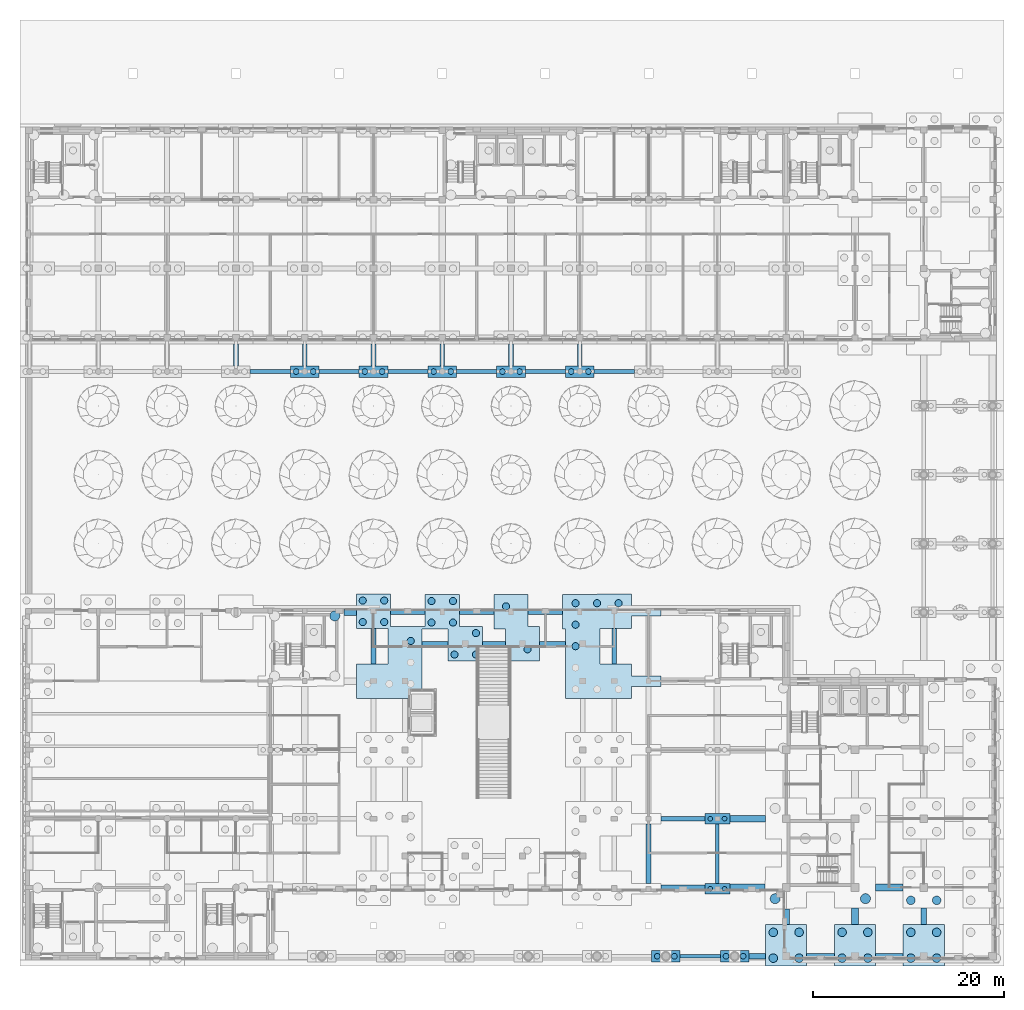
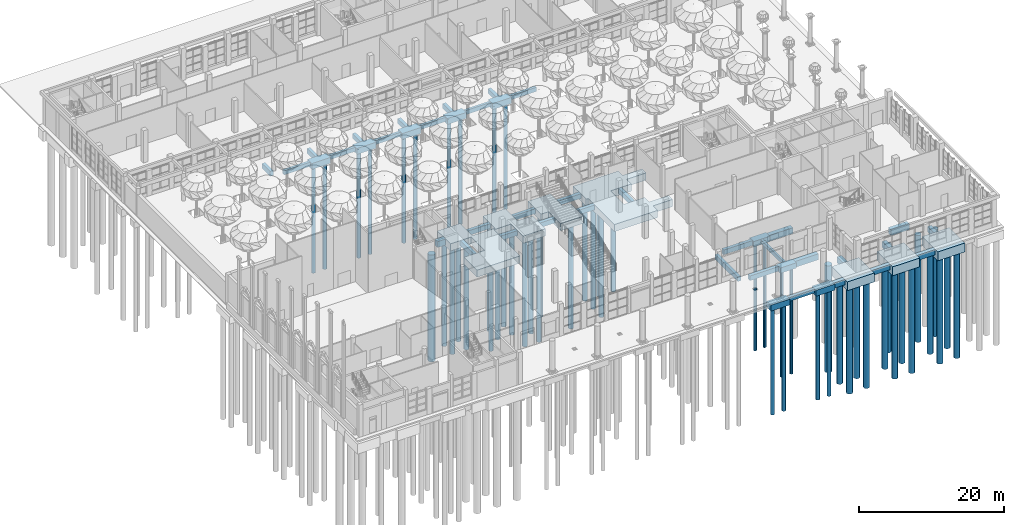
# One storey, part 3 of 80: 54 piles, 50 footings.
"""IFC4 building model written with IfcOpenShell, lengths in metres."""

from ifc_helpers import new_model, si_unit, direction, frame, origin, origin_2d, place, context, subcontext, project, spatial, polyline, rectangle, circle, outline, extrude, material, material_profile, profile_set, type_object, element, save


model = new_model("IFC4")

# Units and contexts
model_context = context("Model", 3, precision=1e-05, world=origin(), true_north=direction((0.0, 1.0)))
body_context = subcontext(model_context, "Body", "Model", "MODEL_VIEW")
ifc_project = project(units=[si_unit("LENGTHUNIT", "METRE"), si_unit("AREAUNIT", "SQUARE_METRE"), si_unit("VOLUMEUNIT", "CUBIC_METRE"), si_unit("PLANEANGLEUNIT", "RADIAN"), si_unit("MASSUNIT", "GRAM", prefix="KILO")], contexts=[model_context])

# Site, building, storey
site_placement = place(None, origin())
site = spatial("IfcSite", under=ifc_project, at=site_placement, CompositionType="ELEMENT")
building_placement = place(site_placement, origin())
building = spatial("IfcBuilding", under=site, at=building_placement, Name="Ussher Court Research Institute", CompositionType="ELEMENT")
storey_placement = place(building_placement, origin())
storey = spatial("IfcBuildingStorey", under=building, at=storey_placement, Name="L00", CompositionType="ELEMENT", Elevation=0.0)

# Piles
ifc_material_1 = material(Name="Concrete C35/45", Category="concrete")
ifc_material_profile_1 = material_profile(ifc_material_1, circle(Radius=0.52490234375, at=origin_2d()), Name="RC D1050")
ifc_profile_set_1 = profile_set([ifc_material_profile_1], Name="Concrete C35/45")
pile_type_1 = type_object("IfcPileType", Name="Bored pile D1050", PredefinedType="BORED", material=ifc_profile_set_1)
for number, where, z_axis, x_axis, name in (
    (1, (34.949951171875, 39.625, -2.10009765625), (0.0, 0.0, -1.0), (1.0, 0.0, 0.0), "P5 033-06"),
    (2, (81.050048828125, 10.02490234375, -2.10009765625), (0.0, 0.0, -1.0), (1.0, 0.0, 0.0), "P5 091-01"),
    (3, (90.5, 10.02490234375, -2.10009765625), (0.0, 0.0, -1.0), (1.0, 0.0, 0.0), "P5 091-07"),
):
    element("IfcPile", number, at=place(storey_placement, frame(where, z_axis=z_axis, x_axis=x_axis)), inside=storey, type_object=pile_type_1, Name=name, PredefinedType="BORED", context=body_context, shape_type="SweptSolid", body=[
        extrude(circle(Radius=0.52490234375, at=origin_2d()), origin(), (0.0, 0.0, 1.0), 18.0),
    ])
ifc_material_2 = material(Name="Concrete C35/45", Category="concrete")
ifc_material_profile_2 = material_profile(ifc_material_2, circle(Radius=0.25, at=origin_2d()), Name="RC D500")
ifc_profile_set_2 = profile_set([ifc_material_profile_2], Name="Concrete C35/45")
pile_type_2 = type_object("IfcPileType", Name="Bored pile D500", PredefinedType="BORED", material=ifc_profile_set_2)
for number, where, z_axis, x_axis, name in (
    (4, (74.25, 11.050048828125, -1.300048828125), (0.0, 0.0, -1.0), (1.0, 0.0, 0.0), "P4 086-01"),
    (5, (75.75, 11.050048828125, -1.300048828125), (0.0, 0.0, -1.0), (1.0, 0.0, 0.0), "P4 086-02"),
    (6, (74.25, 18.39990234375, -1.300048828125), (0.0, 0.0, -1.0), (1.0, 0.0, 0.0), "P4 087-01"),
    (7, (75.75, 18.39990234375, -1.300048828125), (0.0, 0.0, -1.0), (1.0, 0.0, 0.0), "P4 087-02"),
):
    element("IfcPile", number, at=place(storey_placement, frame(where, z_axis=z_axis, x_axis=x_axis)), inside=storey, type_object=pile_type_2, Name=name, PredefinedType="BORED", context=body_context, shape_type="SweptSolid", body=[
        extrude(circle(Radius=0.25, at=origin_2d()), origin(), (0.0, 0.0, 1.0), 18.0),
    ])
ifc_material_3 = material(Name="Concrete C35/45", Category="concrete")
ifc_material_profile_3 = material_profile(ifc_material_3, circle(Radius=0.300048828125, at=origin_2d()), Name="RC D600")
ifc_profile_set_3 = profile_set([ifc_material_profile_3], Name="Concrete C35/45")
pile_type_3 = type_object("IfcPileType", Name="Bored pile D600", PredefinedType="BORED", material=ifc_profile_set_3)
for number, where, z_axis, x_axis, name in (
    (8, (30.89990234375, 65.199951171875, -1.39990234375), (0.0, 0.0, -1.0), (1.0, 0.0, 0.0), "P2 044-01"),
    (9, (32.699951171875, 65.199951171875, -1.39990234375), (0.0, 0.0, -1.0), (1.0, 0.0, 0.0), "P2 044-02"),
    (10, (38.10009765625, 65.199951171875, -1.39990234375), (0.0, 0.0, -1.0), (1.0, 0.0, 0.0), "P2 056-01"),
    (11, (39.89990234375, 65.199951171875, -1.39990234375), (0.0, 0.0, -1.0), (1.0, 0.0, 0.0), "P2 056-02"),
    (12, (45.300048828125, 65.199951171875, -1.39990234375), (0.0, 0.0, -1.0), (1.0, 0.0, 0.0), "P2 061-01"),
    (13, (47.10009765625, 65.199951171875, -1.39990234375), (0.0, 0.0, -1.0), (1.0, 0.0, 0.0), "P2 061-02"),
    (14, (52.5, 65.199951171875, -1.39990234375), (0.0, 0.0, -1.0), (1.0, 0.0, 0.0), "P2 067-01"),
    (15, (54.300048828125, 65.199951171875, -1.39990234375), (0.0, 0.0, -1.0), (1.0, 0.0, 0.0), "P2 067-02"),
    (16, (59.699951171875, 65.199951171875, -1.39990234375), (0.0, 0.0, -1.0), (1.0, 0.0, 0.0), "P2 074-01"),
    (17, (61.5, 65.199951171875, -1.39990234375), (0.0, 0.0, -1.0), (1.0, 0.0, 0.0), "P2 074-02"),
    (18, (68.699951171875, 4.0, -1.39990234375), (0.0, 0.0, -1.0), (1.0, 0.0, 0.0), "P2 081-01"),
    (19, (70.5, 4.0, -1.39990234375), (0.0, 0.0, -1.0), (1.0, 0.0, 0.0), "P2 081-02"),
    (20, (75.89990234375, 4.0, -1.39990234375), (0.0, 0.0, -1.0), (1.0, 0.0, 0.0), "P2 090-01"),
    (21, (77.699951171875, 4.0, -1.39990234375), (0.0, 0.0, -1.0), (1.0, 0.0, 0.0), "P2 090-02"),
):
    element("IfcPile", number, at=place(storey_placement, frame(where, z_axis=z_axis, x_axis=x_axis)), inside=storey, type_object=pile_type_3, Name=name, PredefinedType="BORED", context=body_context, shape_type="SweptSolid", body=[
        extrude(circle(Radius=0.300048828125, at=origin_2d()), origin(), (0.0, 0.0, 1.0), 18.0),
    ])
ifc_material_4 = material(Name="Concrete C35/45", Category="concrete")
ifc_material_profile_4 = material_profile(ifc_material_4, circle(Radius=0.375, at=origin_2d()), Name="RC D750")
ifc_profile_set_4 = profile_set([ifc_material_profile_4], Name="Concrete C35/45")
pile_type_4 = type_object("IfcPileType", Name="Bored pile D750", PredefinedType="BORED", material=ifc_profile_set_4)
for number, where, z_axis, x_axis, name in (
    (22, (42.89990234375, 37.0, -1.60009765625), (0.0, 0.0, -1.0), (1.0, 0.0, 0.0), "P1 051-05"),
    (23, (37.875, 38.97509765625, -1.60009765625), (0.0, 0.0, -1.0), (1.0, 0.0, 0.0), "P1 051-06"),
    (24, (37.875, 41.22509765625, -1.60009765625), (0.0, 0.0, -1.0), (1.0, 0.0, 0.0), "P1 051-07"),
    (25, (40.125, 38.97509765625, -1.60009765625), (0.0, 0.0, -1.0), (1.0, 0.0, 0.0), "P1 051-08"),
    (26, (40.125, 41.22509765625, -1.60009765625), (0.0, 0.0, -1.0), (1.0, 0.0, 0.0), "P1 051-09"),
    (27, (45.074951171875, 38.925048828125, -1.60009765625), (0.0, 0.0, -1.0), (1.0, 0.0, 0.0), "P1 051-10"),
    (28, (45.074951171875, 41.175048828125, -1.60009765625), (0.0, 0.0, -1.0), (1.0, 0.0, 0.0), "P1 051-11"),
    (29, (47.324951171875, 38.925048828125, -1.60009765625), (0.0, 0.0, -1.0), (1.0, 0.0, 0.0), "P1 051-12"),
    (30, (47.324951171875, 41.175048828125, -1.60009765625), (0.0, 0.0, -1.0), (1.0, 0.0, 0.0), "P1 051-13"),
    (31, (47.47509765625, 35.574951171875, -1.60009765625), (0.0, 0.0, -1.0), (1.0, 0.0, 0.0), "P1 051-14"),
    (32, (49.72509765625, 35.574951171875, -1.60009765625), (0.0, 0.0, -1.0), (1.0, 0.0, 0.0), "P1 051-15"),
    (33, (49.72509765625, 37.824951171875, -1.60009765625), (0.0, 0.0, -1.0), (1.0, 0.0, 0.0), "P1 051-16"),
    (34, (52.875, 40.625, -1.60009765625), (0.0, 0.0, -1.0), (1.0, 0.0, 0.0), "P1 064-01"),
    (35, (55.125, 36.125, -1.60009765625), (0.0, 0.0, -1.0), (1.0, 0.0, 0.0), "P1 064-02"),
    (36, (60.14990234375, 36.449951171875, -1.60009765625), (0.0, 0.0, -1.0), (1.0, 0.0, 0.0), "P1 070-03"),
    (37, (60.14990234375, 38.699951171875, -1.60009765625), (0.0, 0.0, -1.0), (1.0, 0.0, 0.0), "P1 070-04"),
    (38, (60.14990234375, 40.949951171875, -1.60009765625), (0.0, 0.0, -1.0), (1.0, 0.0, 0.0), "P1 070-05"),
    (39, (62.39990234375, 40.949951171875, -1.60009765625), (0.0, 0.0, -1.0), (1.0, 0.0, 0.0), "P1 070-07"),
    (40, (64.64990234375, 40.949951171875, -1.60009765625), (0.0, 0.0, -1.0), (1.0, 0.0, 0.0), "P1 070-09"),
):
    element("IfcPile", number, at=place(storey_placement, frame(where, z_axis=z_axis, x_axis=x_axis)), inside=storey, type_object=pile_type_4, Name=name, PredefinedType="BORED", context=body_context, shape_type="SweptSolid", body=[
        extrude(circle(Radius=0.375, at=origin_2d()), origin(), (0.0, 0.0, 1.0), 18.0),
    ])
ifc_material_5 = material(Name="Concrete C35/45", Category="concrete")
ifc_material_profile_5 = material_profile(ifc_material_5, circle(Radius=0.449951171875, at=origin_2d()), Name="RC D900")
ifc_profile_set_5 = profile_set([ifc_material_profile_5], Name="Concrete C35/45")
pile_type_5 = type_object("IfcPileType", Name="Bored pile D900", PredefinedType="BORED", material=ifc_profile_set_5)
for number, where, z_axis, x_axis, name in (
    (41, (80.85009765625, 3.800048828125, -1.89990234375), (0.0, 0.0, -1.0), (1.0, 0.0, 0.0), "P3 092-01"),
    (42, (80.85009765625, 6.5, -1.89990234375), (0.0, 0.0, -1.0), (1.0, 0.0, 0.0), "P3 092-02"),
    (43, (83.550048828125, 3.800048828125, -1.89990234375), (0.0, 0.0, -1.0), (1.0, 0.0, 0.0), "P3 092-03"),
    (44, (83.550048828125, 6.5, -1.89990234375), (0.0, 0.0, -1.0), (1.0, 0.0, 0.0), "P3 092-04"),
    (45, (88.050048828125, 3.800048828125, -1.89990234375), (0.0, 0.0, -1.0), (1.0, 0.0, 0.0), "P3 096-01"),
    (46, (88.050048828125, 6.5, -1.89990234375), (0.0, 0.0, -1.0), (1.0, 0.0, 0.0), "P3 096-02"),
    (47, (90.75, 3.800048828125, -1.89990234375), (0.0, 0.0, -1.0), (1.0, 0.0, 0.0), "P3 096-03"),
    (48, (90.75, 6.5, -1.89990234375), (0.0, 0.0, -1.0), (1.0, 0.0, 0.0), "P3 096-04"),
    (49, (95.25, 3.800048828125, -1.89990234375), (0.0, 0.0, -1.0), (1.0, 0.0, 0.0), "P3 099-01"),
    (50, (95.25, 6.5, -1.89990234375), (0.0, 0.0, -1.0), (1.0, 0.0, 0.0), "P3 099-02"),
    (51, (97.949951171875, 3.800048828125, -1.89990234375), (0.0, 0.0, -1.0), (1.0, 0.0, 0.0), "P3 099-03"),
    (52, (97.949951171875, 6.5, -1.89990234375), (0.0, 0.0, -1.0), (1.0, 0.0, 0.0), "P3 099-04"),
    (53, (95.25, 9.85009765625, -1.89990234375), (0.0, 0.0, -1.0), (1.0, 0.0, 0.0), "P3 100-01"),
    (54, (97.949951171875, 9.85009765625, -1.89990234375), (0.0, 0.0, -1.0), (1.0, 0.0, 0.0), "P3 100-03"),
):
    element("IfcPile", number, at=place(storey_placement, frame(where, z_axis=z_axis, x_axis=x_axis)), inside=storey, type_object=pile_type_5, Name=name, PredefinedType="BORED", context=body_context, shape_type="SweptSolid", body=[
        extrude(circle(Radius=0.449951171875, at=origin_2d()), origin(), (0.0, 0.0, 1.0), 18.0),
    ])

# Footings
ifc_material_6 = material(Name="Concrete C35/45", Category="concrete")
footing_type_1 = type_object("IfcFootingType", Name="Pile cap 10900x10300x1200", PredefinedType="PILE_CAP", material=ifc_material_6)
footing_1_placement = place(storey_placement, frame((0.0, 0.0, -1.75)))
element("IfcFooting", 55, at=footing_1_placement, inside=storey, type_object=footing_type_1, Name="PC16 070", PredefinedType="PILE_CAP", context=body_context, shape_type="SweptSolid", body=[
    extrude(outline(polyline([(58.800048828125, 41.85009765625), (58.800048828125, 38.25), (59.10009765625, 38.25), (59.10009765625, 31.0), (66.0, 31.0), (66.0, 32.25), (69.10009765625, 32.25), (69.10009765625, 33.35009765625), (66.0, 33.35009765625), (66.0, 34.60009765625), (62.699951171875, 34.60009765625), (62.699951171875, 38.300048828125), (66.0, 38.300048828125), (66.0, 39.60009765625), (69.10009765625, 39.60009765625), (69.10009765625, 40.699951171875), (66.0, 40.699951171875), (66.0, 41.89990234375), (62.39990234375, 41.89990234375), (62.39990234375, 41.85009765625), (58.800048828125, 41.85009765625)])), origin(), (0.0, 0.0, 1.0), 1.199951171875),
])
ifc_material_7 = material(Name="Concrete C35/45", Category="concrete")
footing_type_2 = type_object("IfcFootingType", Name="Pile cap 13200x10900x1200", PredefinedType="PILE_CAP", material=ifc_material_7)
footing_2_placement = place(storey_placement, frame((0.0, 0.0, -1.75)))
element("IfcFooting", 56, at=footing_2_placement, inside=storey, type_object=footing_type_2, Name="PC19 051", PredefinedType="PILE_CAP", context=body_context, shape_type="SweptSolid", body=[
    extrude(outline(polyline([(40.5, 38.300048828125), (40.5, 34.60009765625), (37.199951171875, 34.60009765625), (37.199951171875, 31.0), (44.10009765625, 31.0), (44.10009765625, 38.25), (46.800048828125, 38.25), (46.800048828125, 34.89990234375), (50.39990234375, 34.89990234375), (50.39990234375, 38.5), (48.0, 38.5), (48.0, 41.85009765625), (44.39990234375, 41.85009765625), (44.39990234375, 38.5), (40.800048828125, 38.5), (40.800048828125, 41.89990234375), (37.199951171875, 41.89990234375), (37.199951171875, 38.300048828125), (40.5, 38.300048828125)])), origin(), (0.0, 0.0, 1.0), 1.199951171875),
])
ifc_material_8 = material(Name="Concrete C35/45", Category="concrete")
footing_type_3 = type_object("IfcFootingType", Name="Pile cap 2600x1100x900", PredefinedType="PILE_CAP", material=ifc_material_8)
footing_3_placement = place(storey_placement, frame((0.0, 0.0, -1.449951171875)))
element("IfcFooting", 57, at=footing_3_placement, inside=storey, type_object=footing_type_3, Name="PC1 086", PredefinedType="PILE_CAP", context=body_context, shape_type="SweptSolid", body=[
    extrude(outline(polyline([(73.699951171875, 10.5), (76.300048828125, 10.5), (76.300048828125, 11.60009765625), (73.699951171875, 11.60009765625), (73.699951171875, 10.5)])), origin(), (0.0, 0.0, 1.0), 0.89990234375),
])
footing_4_placement = place(storey_placement, frame((0.0, 0.0, -1.449951171875)))
element("IfcFooting", 58, at=footing_4_placement, inside=storey, type_object=footing_type_3, Name="PC1 087", PredefinedType="PILE_CAP", context=body_context, shape_type="SweptSolid", body=[
    extrude(outline(polyline([(73.699951171875, 17.85009765625), (76.300048828125, 17.85009765625), (76.300048828125, 18.949951171875), (73.699951171875, 18.949951171875), (73.699951171875, 17.85009765625)])), origin(), (0.0, 0.0, 1.0), 0.89990234375),
])
ifc_material_9 = material(Name="Concrete C35/45", Category="concrete")
footing_type_4 = type_object("IfcFootingType", Name="Pile cap 3000x1200x1000", PredefinedType="PILE_CAP", material=ifc_material_9)
footing_5_placement = place(storey_placement, frame((0.0, 0.0, -1.550048828125)))
element("IfcFooting", 59, at=footing_5_placement, inside=storey, type_object=footing_type_4, Name="PC2 044", PredefinedType="PILE_CAP", context=body_context, shape_type="SweptSolid", body=[
    extrude(outline(polyline([(30.300048828125, 64.60009765625), (33.300048828125, 64.60009765625), (33.300048828125, 65.800048828125), (30.300048828125, 65.800048828125), (30.300048828125, 64.60009765625)])), origin(), (0.0, 0.0, 1.0), 1.0),
])
footing_6_placement = place(storey_placement, frame((0.0, 0.0, -1.550048828125)))
element("IfcFooting", 60, at=footing_6_placement, inside=storey, type_object=footing_type_4, Name="PC2 056", PredefinedType="PILE_CAP", context=body_context, shape_type="SweptSolid", body=[
    extrude(outline(polyline([(37.5, 64.60009765625), (40.5, 64.60009765625), (40.5, 65.800048828125), (37.5, 65.800048828125), (37.5, 64.60009765625)])), origin(), (0.0, 0.0, 1.0), 1.0),
])
footing_7_placement = place(storey_placement, frame((0.0, 0.0, -1.550048828125)))
element("IfcFooting", 61, at=footing_7_placement, inside=storey, type_object=footing_type_4, Name="PC2 061", PredefinedType="PILE_CAP", context=body_context, shape_type="SweptSolid", body=[
    extrude(outline(polyline([(44.699951171875, 64.60009765625), (47.699951171875, 64.60009765625), (47.699951171875, 65.800048828125), (44.699951171875, 65.800048828125), (44.699951171875, 64.60009765625)])), origin(), (0.0, 0.0, 1.0), 1.0),
])
footing_8_placement = place(storey_placement, frame((0.0, 0.0, -1.550048828125)))
element("IfcFooting", 62, at=footing_8_placement, inside=storey, type_object=footing_type_4, Name="PC2 067", PredefinedType="PILE_CAP", context=body_context, shape_type="SweptSolid", body=[
    extrude(outline(polyline([(51.89990234375, 64.60009765625), (54.89990234375, 64.60009765625), (54.89990234375, 65.800048828125), (51.89990234375, 65.800048828125), (51.89990234375, 64.60009765625)])), origin(), (0.0, 0.0, 1.0), 1.0),
])
footing_9_placement = place(storey_placement, frame((0.0, 0.0, -1.550048828125)))
element("IfcFooting", 63, at=footing_9_placement, inside=storey, type_object=footing_type_4, Name="PC2 074", PredefinedType="PILE_CAP", context=body_context, shape_type="SweptSolid", body=[
    extrude(outline(polyline([(59.10009765625, 64.60009765625), (62.10009765625, 64.60009765625), (62.10009765625, 65.800048828125), (59.10009765625, 65.800048828125), (59.10009765625, 64.60009765625)])), origin(), (0.0, 0.0, 1.0), 1.0),
])
footing_10_placement = place(storey_placement, frame((0.0, 0.0, -1.550048828125)))
element("IfcFooting", 64, at=footing_10_placement, inside=storey, type_object=footing_type_4, Name="PC2 081", PredefinedType="PILE_CAP", context=body_context, shape_type="SweptSolid", body=[
    extrude(outline(polyline([(68.10009765625, 3.39990234375), (71.10009765625, 3.39990234375), (71.10009765625, 4.60009765625), (68.10009765625, 4.60009765625), (68.10009765625, 3.39990234375)])), origin(), (0.0, 0.0, 1.0), 1.0),
])
footing_11_placement = place(storey_placement, frame((0.0, 0.0, -1.550048828125)))
element("IfcFooting", 65, at=footing_11_placement, inside=storey, type_object=footing_type_4, Name="PC2 090", PredefinedType="PILE_CAP", context=body_context, shape_type="SweptSolid", body=[
    extrude(outline(polyline([(75.300048828125, 3.39990234375), (78.300048828125, 3.39990234375), (78.300048828125, 4.60009765625), (75.300048828125, 4.60009765625), (75.300048828125, 3.39990234375)])), origin(), (0.0, 0.0, 1.0), 1.0),
])
ifc_material_10 = material(Name="Concrete C35/45", Category="concrete")
footing_type_5 = type_object("IfcFootingType", Name="Pile cap 4300x4300x1500", PredefinedType="PILE_CAP", material=ifc_material_10)
footing_12_placement = place(storey_placement, frame((0.0, 0.0, -2.050048828125)))
element("IfcFooting", 66, at=footing_12_placement, inside=storey, type_object=footing_type_5, Name="PC6 092", PredefinedType="PILE_CAP", context=body_context, shape_type="SweptSolid", body=[
    extrude(outline(polyline([(80.050048828125, 3.0), (84.35009765625, 3.0), (84.35009765625, 7.300048828125), (80.050048828125, 7.300048828125), (80.050048828125, 3.0)])), origin(), (0.0, 0.0, 1.0), 1.5),
])
footing_13_placement = place(storey_placement, frame((0.0, 0.0, -2.050048828125)))
element("IfcFooting", 67, at=footing_13_placement, inside=storey, type_object=footing_type_5, Name="PC6 096", PredefinedType="PILE_CAP", context=body_context, shape_type="SweptSolid", body=[
    extrude(outline(polyline([(87.25, 3.0), (91.550048828125, 3.0), (91.550048828125, 7.300048828125), (87.25, 7.300048828125), (87.25, 3.0)])), origin(), (0.0, 0.0, 1.0), 1.5),
])
footing_14_placement = place(storey_placement, frame((0.0, 0.0, -2.050048828125)))
element("IfcFooting", 68, at=footing_14_placement, inside=storey, type_object=footing_type_5, Name="PC6 099", PredefinedType="PILE_CAP", context=body_context, shape_type="SweptSolid", body=[
    extrude(outline(polyline([(94.449951171875, 3.0), (98.75, 3.0), (98.75, 7.300048828125), (94.449951171875, 7.300048828125), (94.449951171875, 3.0)])), origin(), (0.0, 0.0, 1.0), 1.5),
])
ifc_material_11 = material(Name="Concrete C35/45", Category="concrete")
footing_type_6 = type_object("IfcFootingType", Name="Pile cap 6950x4800x1200", PredefinedType="PILE_CAP", material=ifc_material_11)
footing_15_placement = place(storey_placement, frame((0.0, 0.0, -1.75)))
element("IfcFooting", 69, at=footing_15_placement, inside=storey, type_object=footing_type_6, Name="PC9 064", PredefinedType="PILE_CAP", context=body_context, shape_type="SweptSolid", body=[
    extrude(outline(polyline([(56.39990234375, 34.89990234375), (56.39990234375, 38.5), (55.199951171875, 38.5), (55.199951171875, 41.85009765625), (51.60009765625, 41.85009765625), (51.60009765625, 38.25), (52.800048828125, 38.25), (52.800048828125, 34.89990234375), (56.39990234375, 34.89990234375)])), origin(), (0.0, 0.0, 1.0), 1.199951171875),
])
ifc_material_12 = material(Name="Concrete C35/45", Category="concrete")
ifc_material_profile_6 = material_profile(ifc_material_12, rectangle(XDim=0.35009765625, YDim=0.60009765625, at=origin_2d()), Name="RC 350x600")
ifc_profile_set_6 = profile_set([ifc_material_profile_6], Name="Concrete C35/45")
footing_type_7 = type_object("IfcFootingType", Name="RC 350x600 ground beam", PredefinedType="FOOTING_BEAM", material=ifc_profile_set_6)
footing_16_placement = place(storey_placement, frame((75.0, 11.60107421875, -0.85009765625), z_axis=(0.0, 1.0, 0.0), x_axis=(-1.0, 0.0, 0.0)))
element("IfcFooting", 70, at=footing_16_placement, inside=storey, type_object=footing_type_7, Name="GB4 180", PredefinedType="FOOTING_BEAM", context=body_context, shape_type="SweptSolid", body=[
    extrude(rectangle(XDim=0.35009765625, YDim=0.60009765625, at=origin_2d()), origin(), (0.0, 0.0, 1.0), 6.248046875),
])
ifc_material_13 = material(Name="Concrete C35/45", Category="concrete")
ifc_material_profile_7 = material_profile(ifc_material_13, rectangle(XDim=0.39990234375, YDim=0.699951171875, at=origin_2d()), Name="RC 400x700")
ifc_profile_set_7 = profile_set([ifc_material_profile_7], Name="Concrete C35/45")
footing_type_8 = type_object("IfcFootingType", Name="RC 400x700 ground beam", PredefinedType="FOOTING_BEAM", material=ifc_profile_set_7)
for number, where, z_axis, x_axis, name in (
    (71, (71.10107421875, 4.0, -0.89990234375), (1.0, 0.0, 0.0), (0.0, 1.0, 0.0), "GB2 009"),
    (72, (26.10107421875, 65.199951171875, -0.89990234375), (1.0, 0.0, 0.0), (0.0, 1.0, 0.0), "GB2 063"),
    (73, (33.301025390625, 65.199951171875, -0.89990234375), (1.0, 0.0, 0.0), (0.0, 1.0, 0.0), "GB2 064"),
    (74, (40.5009765625, 65.199951171875, -0.89990234375), (1.0, 0.0, 0.0), (0.0, 1.0, 0.0), "GB2 065"),
    (75, (47.700927734375, 65.199951171875, -0.89990234375), (1.0, 0.0, 0.0), (0.0, 1.0, 0.0), "GB2 066"),
):
    element("IfcFooting", number, at=place(storey_placement, frame(where, z_axis=z_axis, x_axis=x_axis)), inside=storey, type_object=footing_type_8, Name=name, PredefinedType="FOOTING_BEAM", context=body_context, shape_type="SweptSolid", body=[
        extrude(rectangle(XDim=0.39990234375, YDim=0.699951171875, at=origin_2d()), origin(), (0.0, 0.0, 1.0), 4.197998046875),
    ])
footing_17_placement = place(storey_placement, frame((54.90087890625, 65.199951171875, -0.89990234375), z_axis=(1.0, 0.0, 0.0), x_axis=(0.0, 1.0, 0.0)))
element("IfcFooting", 76, at=footing_17_placement, inside=storey, type_object=footing_type_8, Name="GB2 067", PredefinedType="FOOTING_BEAM", context=body_context, shape_type="SweptSolid", body=[
    extrude(rectangle(XDim=0.39990234375, YDim=0.699951171875, at=origin_2d()), origin(), (0.0, 0.0, 1.0), 4.1982421875),
])
footing_18_placement = place(storey_placement, frame((62.10107421875, 65.199951171875, -0.89990234375), z_axis=(1.0, 0.0, 0.0), x_axis=(0.0, 1.0, 0.0)))
element("IfcFooting", 77, at=footing_18_placement, inside=storey, type_object=footing_type_8, Name="GB2 068", PredefinedType="FOOTING_BEAM", context=body_context, shape_type="SweptSolid", body=[
    extrude(rectangle(XDim=0.39990234375, YDim=0.699951171875, at=origin_2d()), origin(), (0.0, 0.0, 1.0), 4.197998046875),
])
ifc_material_14 = material(Name="Concrete C35/45", Category="concrete")
ifc_material_profile_8 = material_profile(ifc_material_14, rectangle(XDim=0.5, YDim=0.800048828125, at=origin_2d()), Name="RC 500x800")
ifc_profile_set_8 = profile_set([ifc_material_profile_8], Name="Concrete C35/45")
footing_type_9 = type_object("IfcFootingType", Name="RC 500x800 ground beam", PredefinedType="FOOTING_BEAM", material=ifc_profile_set_8)
for number, where, z_axis, x_axis, name in (
    (78, (69.10107421875, 11.199951171875, -0.949951171875), (1.0, 0.0, 0.0), (0.0, 1.0, 0.0), "GB1 021"),
    (79, (69.10107421875, 18.39990234375, -0.949951171875), (1.0, 0.0, 0.0), (0.0, 1.0, 0.0), "GB1 033"),
):
    element("IfcFooting", number, at=place(storey_placement, frame(where, z_axis=z_axis, x_axis=x_axis)), inside=storey, type_object=footing_type_9, Name=name, PredefinedType="FOOTING_BEAM", context=body_context, shape_type="SweptSolid", body=[
        extrude(rectangle(XDim=0.5, YDim=0.800048828125, at=origin_2d()), origin(), (0.0, 0.0, 1.0), 4.597900390625),
    ])
footing_19_placement = place(storey_placement, frame((44.10107421875, 36.699951171875, -0.949951171875), z_axis=(1.0, 0.0, 0.0), x_axis=(0.0, 1.0, 0.0)))
element("IfcFooting", 80, at=footing_19_placement, inside=storey, type_object=footing_type_9, Name="GB1 045", PredefinedType="FOOTING_BEAM", context=body_context, shape_type="SweptSolid", body=[
    extrude(rectangle(XDim=0.5, YDim=0.800048828125, at=origin_2d()), origin(), (0.0, 0.0, 1.0), 2.697998046875),
])
footing_20_placement = place(storey_placement, frame((50.40087890625, 36.699951171875, -0.949951171875), z_axis=(1.0, 0.0, 0.0), x_axis=(0.0, 1.0, 0.0)))
element("IfcFooting", 81, at=footing_20_placement, inside=storey, type_object=footing_type_9, Name="GB1 046", PredefinedType="FOOTING_BEAM", context=body_context, shape_type="SweptSolid", body=[
    extrude(rectangle(XDim=0.5, YDim=0.800048828125, at=origin_2d()), origin(), (0.0, 0.0, 1.0), 2.398193359375),
])
footing_21_placement = place(storey_placement, frame((56.40087890625, 36.699951171875, -0.949951171875), z_axis=(1.0, 0.0, 0.0), x_axis=(0.0, 1.0, 0.0)))
element("IfcFooting", 82, at=footing_21_placement, inside=storey, type_object=footing_type_9, Name="GB1 047", PredefinedType="FOOTING_BEAM", context=body_context, shape_type="SweptSolid", body=[
    extrude(rectangle(XDim=0.5, YDim=0.800048828125, at=origin_2d()), origin(), (0.0, 0.0, 1.0), 2.6982421875),
])
footing_22_placement = place(storey_placement, frame((40.801025390625, 40.0, -0.949951171875), z_axis=(1.0, 0.0, 0.0), x_axis=(0.0, 1.0, 0.0)))
element("IfcFooting", 83, at=footing_22_placement, inside=storey, type_object=footing_type_9, Name="GB1 052", PredefinedType="FOOTING_BEAM", context=body_context, shape_type="SweptSolid", body=[
    extrude(rectangle(XDim=0.5, YDim=0.800048828125, at=origin_2d()), origin(), (0.0, 0.0, 1.0), 3.597900390625),
])
for number, where, z_axis, x_axis, name in (
    (84, (48.0009765625, 40.0, -0.949951171875), (1.0, 0.0, 0.0), (0.0, 1.0, 0.0), "GB1 053"),
    (85, (55.200927734375, 40.0, -0.949951171875), (1.0, 0.0, 0.0), (0.0, 1.0, 0.0), "GB1 054"),
):
    element("IfcFooting", number, at=place(storey_placement, frame(where, z_axis=z_axis, x_axis=x_axis)), inside=storey, type_object=footing_type_9, Name=name, PredefinedType="FOOTING_BEAM", context=body_context, shape_type="SweptSolid", body=[
        extrude(rectangle(XDim=0.5, YDim=0.800048828125, at=origin_2d()), origin(), (0.0, 0.0, 1.0), 3.59814453125),
    ])
for number, where, z_axis, x_axis, name in (
    (86, (24.60009765625, 65.801025390625, -0.949951171875), (0.0, 1.0, 0.0), (-1.0, 0.0, 0.0), "GB1 133"),
    (87, (31.800048828125, 65.801025390625, -0.949951171875), (0.0, 1.0, 0.0), (-1.0, 0.0, 0.0), "GB1 143"),
):
    element("IfcFooting", number, at=place(storey_placement, frame(where, z_axis=z_axis, x_axis=x_axis)), inside=storey, type_object=footing_type_9, Name=name, PredefinedType="FOOTING_BEAM", context=body_context, shape_type="SweptSolid", body=[
        extrude(rectangle(XDim=0.5, YDim=0.800048828125, at=origin_2d()), origin(), (0.0, 0.0, 1.0), 2.27294921875),
    ])
footing_23_placement = place(storey_placement, frame((39.0, 34.60107421875, -0.949951171875), z_axis=(0.0, 1.0, 0.0), x_axis=(-1.0, 0.0, 0.0)))
element("IfcFooting", 88, at=footing_23_placement, inside=storey, type_object=footing_type_9, Name="GB1 150", PredefinedType="FOOTING_BEAM", context=body_context, shape_type="SweptSolid", body=[
    extrude(rectangle(XDim=0.5, YDim=0.800048828125, at=origin_2d()), origin(), (0.0, 0.0, 1.0), 3.697998046875),
])
for number, where, z_axis, x_axis, name in (
    (89, (39.0, 65.801025390625, -0.949951171875), (0.0, 1.0, 0.0), (-1.0, 0.0, 0.0), "GB1 151"),
    (90, (46.199951171875, 65.801025390625, -0.949951171875), (0.0, 1.0, 0.0), (-1.0, 0.0, 0.0), "GB1 157"),
    (91, (53.39990234375, 65.801025390625, -0.949951171875), (0.0, 1.0, 0.0), (-1.0, 0.0, 0.0), "GB1 160"),
    (92, (60.60009765625, 65.801025390625, -0.949951171875), (0.0, 1.0, 0.0), (-1.0, 0.0, 0.0), "GB1 163"),
):
    element("IfcFooting", number, at=place(storey_placement, frame(where, z_axis=z_axis, x_axis=x_axis)), inside=storey, type_object=footing_type_9, Name=name, PredefinedType="FOOTING_BEAM", context=body_context, shape_type="SweptSolid", body=[
        extrude(rectangle(XDim=0.5, YDim=0.800048828125, at=origin_2d()), origin(), (0.0, 0.0, 1.0), 2.27294921875),
    ])
footing_24_placement = place(storey_placement, frame((64.199951171875, 34.60107421875, -0.949951171875), z_axis=(0.0, 1.0, 0.0), x_axis=(-1.0, 0.0, 0.0)))
element("IfcFooting", 93, at=footing_24_placement, inside=storey, type_object=footing_type_9, Name="GB1 171", PredefinedType="FOOTING_BEAM", context=body_context, shape_type="SweptSolid", body=[
    extrude(rectangle(XDim=0.5, YDim=0.800048828125, at=origin_2d()), origin(), (0.0, 0.0, 1.0), 3.697998046875),
])
footing_25_placement = place(storey_placement, frame((67.800048828125, 11.60107421875, -0.949951171875), z_axis=(0.0, 1.0, 0.0), x_axis=(-1.0, 0.0, 0.0)))
element("IfcFooting", 94, at=footing_25_placement, inside=storey, type_object=footing_type_9, Name="GB1 172", PredefinedType="FOOTING_BEAM", context=body_context, shape_type="SweptSolid", body=[
    extrude(rectangle(XDim=0.5, YDim=0.800048828125, at=origin_2d()), origin(), (0.0, 0.0, 1.0), 6.248046875),
])
ifc_material_15 = material(Name="Concrete C35/45", Category="concrete")
ifc_material_profile_9 = material_profile(ifc_material_15, rectangle(XDim=0.60009765625, YDim=0.89990234375, at=origin_2d()), Name="RC 600x900")
ifc_profile_set_9 = profile_set([ifc_material_profile_9], Name="Concrete C35/45")
footing_type_10 = type_object("IfcFootingType", Name="RC 600x900 ground beam", PredefinedType="FOOTING_BEAM", material=ifc_profile_set_9)
footing_26_placement = place(storey_placement, frame((78.301025390625, 4.0, -1.0), z_axis=(1.0, 0.0, 0.0), x_axis=(0.0, 1.0, 0.0)))
element("IfcFooting", 95, at=footing_26_placement, inside=storey, type_object=footing_type_10, Name="GB3 010", PredefinedType="FOOTING_BEAM", context=body_context, shape_type="SweptSolid", body=[
    extrude(rectangle(XDim=0.60009765625, YDim=0.89990234375, at=origin_2d()), origin(), (0.0, 0.0, 1.0), 1.748046875),
])
for number, where, z_axis, x_axis, name in (
    (96, (84.35107421875, 4.0, -1.0), (1.0, 0.0, 0.0), (0.0, 1.0, 0.0), "GB3 011"),
    (97, (91.551025390625, 4.0, -1.0), (1.0, 0.0, 0.0), (0.0, 1.0, 0.0), "GB3 012"),
):
    element("IfcFooting", number, at=place(storey_placement, frame(where, z_axis=z_axis, x_axis=x_axis)), inside=storey, type_object=footing_type_10, Name=name, PredefinedType="FOOTING_BEAM", context=body_context, shape_type="SweptSolid", body=[
        extrude(rectangle(XDim=0.60009765625, YDim=0.89990234375, at=origin_2d()), origin(), (0.0, 0.0, 1.0), 2.89794921875),
    ])
footing_27_placement = place(storey_placement, frame((96.60009765625, 7.301025390625, -1.0), z_axis=(0.0, 1.0, 0.0), x_axis=(-1.0, 0.0, 0.0)))
element("IfcFooting", 98, at=footing_27_placement, inside=storey, type_object=footing_type_10, Name="GB3 195", PredefinedType="FOOTING_BEAM", context=body_context, shape_type="SweptSolid", body=[
    extrude(rectangle(XDim=0.60009765625, YDim=0.89990234375, at=origin_2d()), origin(), (0.0, 0.0, 1.0), 1.748046875),
])
ifc_material_16 = material(Name="Concrete C35/45", Category="concrete")
ifc_material_profile_10 = material_profile(ifc_material_16, rectangle(XDim=0.699951171875, YDim=1.0, at=origin_2d()), Name="RC 700x1000")
ifc_profile_set_10 = profile_set([ifc_material_profile_10], Name="Concrete C35/45")
footing_type_11 = type_object("IfcFootingType", Name="RC 700x1000 ground beam", PredefinedType="FOOTING_BEAM", material=ifc_profile_set_10)
footing_28_placement = place(storey_placement, frame((76.301025390625, 11.199951171875, -1.050048828125), z_axis=(1.0, 0.0, 0.0), x_axis=(0.0, 1.0, 0.0)))
element("IfcFooting", 99, at=footing_28_placement, inside=storey, type_object=footing_type_11, Name="GB5 022", PredefinedType="FOOTING_BEAM", context=body_context, shape_type="SweptSolid", body=[
    extrude(rectangle(XDim=0.699951171875, YDim=1.0, at=origin_2d()), origin(), (0.0, 0.0, 1.0), 3.697998046875),
])
footing_29_placement = place(storey_placement, frame((91.551025390625, 11.199951171875, -1.050048828125), z_axis=(1.0, 0.0, 0.0), x_axis=(0.0, 1.0, 0.0)))
element("IfcFooting", 100, at=footing_29_placement, inside=storey, type_object=footing_type_11, Name="GB5 023", PredefinedType="FOOTING_BEAM", context=body_context, shape_type="SweptSolid", body=[
    extrude(rectangle(XDim=0.699951171875, YDim=1.0, at=origin_2d()), origin(), (0.0, 0.0, 1.0), 2.89794921875),
])
footing_30_placement = place(storey_placement, frame((76.301025390625, 18.39990234375, -1.050048828125), z_axis=(1.0, 0.0, 0.0), x_axis=(0.0, 1.0, 0.0)))
element("IfcFooting", 101, at=footing_30_placement, inside=storey, type_object=footing_type_11, Name="GB5 034", PredefinedType="FOOTING_BEAM", context=body_context, shape_type="SweptSolid", body=[
    extrude(rectangle(XDim=0.699951171875, YDim=1.0, at=origin_2d()), origin(), (0.0, 0.0, 1.0), 3.748046875),
])
footing_31_placement = place(storey_placement, frame((35.90087890625, 40.0, -1.050048828125), z_axis=(1.0, 0.0, 0.0), x_axis=(0.0, 1.0, 0.0)))
element("IfcFooting", 102, at=footing_31_placement, inside=storey, type_object=footing_type_11, Name="GB5 051", PredefinedType="FOOTING_BEAM", context=body_context, shape_type="SweptSolid", body=[
    extrude(rectangle(XDim=0.699951171875, YDim=1.0, at=origin_2d()), origin(), (0.0, 0.0, 1.0), 1.298095703125),
])
footing_32_placement = place(storey_placement, frame((82.199951171875, 7.301025390625, -1.050048828125), z_axis=(0.0, 1.0, 0.0), x_axis=(-1.0, 0.0, 0.0)))
element("IfcFooting", 103, at=footing_32_placement, inside=storey, type_object=footing_type_11, Name="GB5 186", PredefinedType="FOOTING_BEAM", context=body_context, shape_type="SweptSolid", body=[
    extrude(rectangle(XDim=0.699951171875, YDim=1.0, at=origin_2d()), origin(), (0.0, 0.0, 1.0), 1.64794921875),
])
footing_33_placement = place(storey_placement, frame((89.39990234375, 7.301025390625, -1.050048828125), z_axis=(0.0, 1.0, 0.0), x_axis=(-1.0, 0.0, 0.0)))
element("IfcFooting", 104, at=footing_33_placement, inside=storey, type_object=footing_type_11, Name="GB5 191", PredefinedType="FOOTING_BEAM", context=body_context, shape_type="SweptSolid", body=[
    extrude(rectangle(XDim=0.699951171875, YDim=1.0, at=origin_2d()), origin(), (0.0, 0.0, 1.0), 1.748046875),
])

save(model, "model.ifc")
